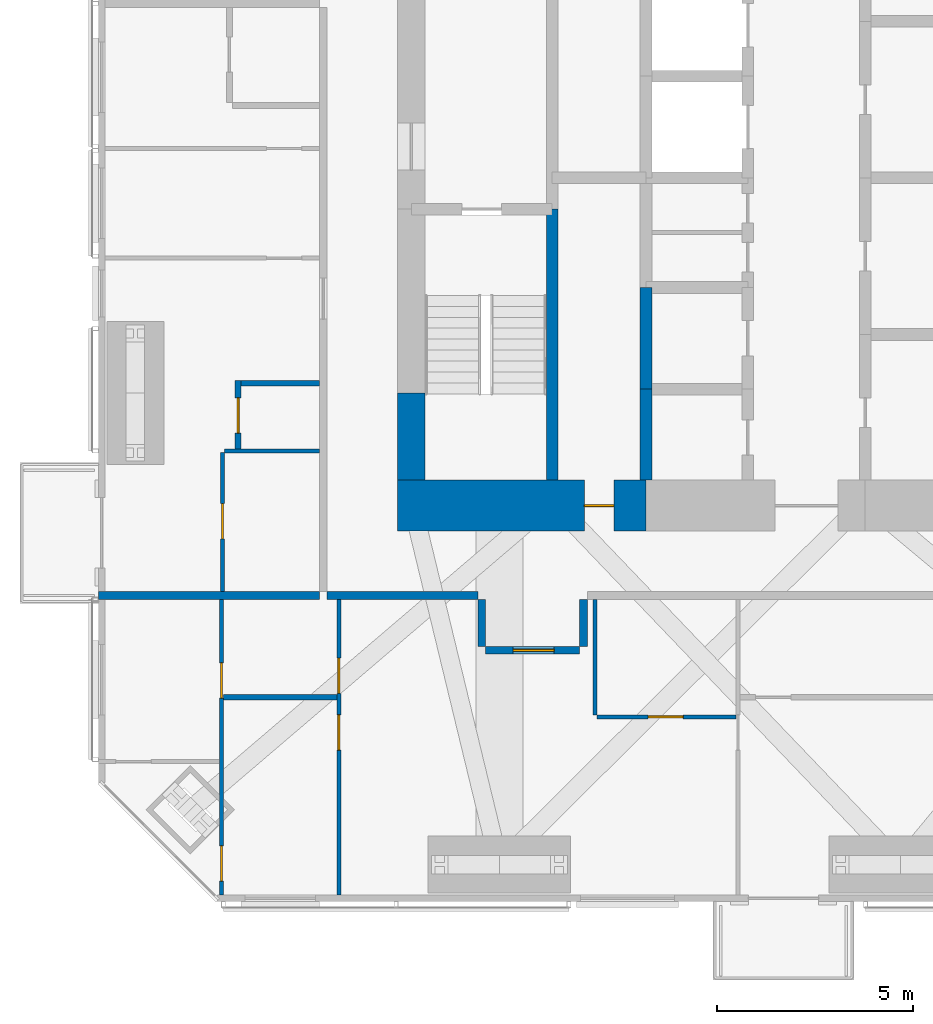
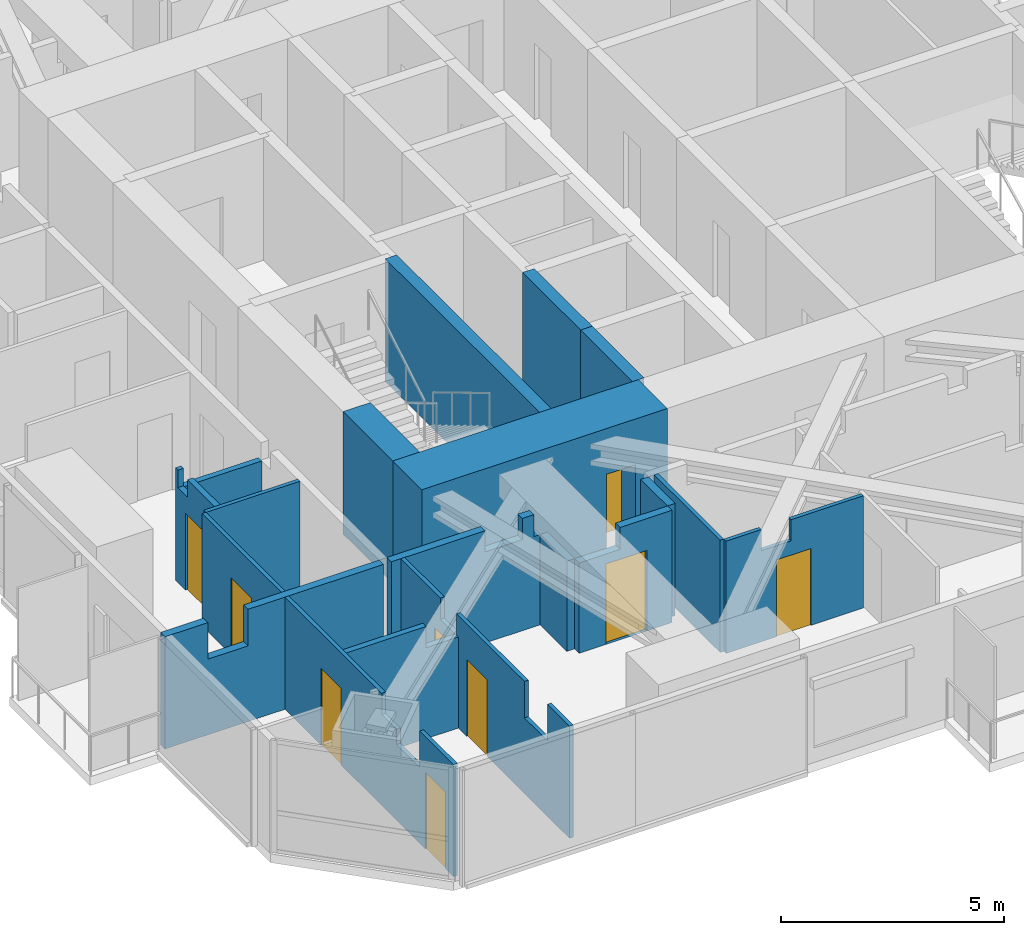
# One storey, part 15 of 22: 19 walls, 9 doors, 9 openings.
"""IFC4 building model written with IfcOpenShell, lengths in metres."""

from ifc_helpers import new_model, si_unit, direction, frame, frame_2d, origin, place, context, subcontext, project, spatial, polyline, rectangle, outline, extrude, material, layer, layer_set, constituent, constituent_set, type_object, element, fill, save


model = new_model("IFC4")

# Units and contexts
model_context = context("Model", 3, precision=1e-05, world=origin(), true_north=direction((0.0, 1.0)))
body_context = subcontext(model_context, "Body", "Model", "MODEL_VIEW")
ifc_project = project(units=[si_unit("LENGTHUNIT", "METRE"), si_unit("AREAUNIT", "SQUARE_METRE"), si_unit("VOLUMEUNIT", "CUBIC_METRE"), si_unit("PLANEANGLEUNIT", "RADIAN"), si_unit("MASSUNIT", "GRAM", prefix="KILO")], contexts=[model_context])

# Site, building, storey
site_placement = place(None, origin())
site = spatial("IfcSite", under=ifc_project, at=site_placement, CompositionType="ELEMENT")
building_placement = place(site_placement, origin())
building = spatial("IfcBuilding", under=site, at=building_placement, Name="Jalousie Tower", CompositionType="ELEMENT")
storey_placement = place(building_placement, frame((0.0, 0.0, 204.60009765625)))
storey = spatial("IfcBuildingStorey", under=building, at=storey_placement, Name="L56", CompositionType="ELEMENT", Elevation=204.60009765625)

# Wall
ifc_material_1 = material(Name="Concrete block ASTM C90", Category="concrete")
ifc_constituent_1 = constituent(ifc_material_1, Name="Body")
ifc_material_2 = material(Name="Render")
ifc_constituent_2 = constituent(ifc_material_2, Name="Finish")
ifc_constituent_set_1 = constituent_set(constituents=[ifc_constituent_1, ifc_constituent_2])
wall_type_1 = type_object("IfcWallType", Name="BATHROOM WALL 150", PredefinedType="PLUMBINGWALL", material=ifc_constituent_set_1)
wall_1_placement = place(storey_placement, frame((15.199951171875, 5.22509765625, 0.0), z_axis=(0.0, 0.0, 1.0), x_axis=(1.0, 0.0, 0.0)))
element("IfcWall", 1, at=wall_1_placement, inside=storey, type_object=wall_type_1, Name="Bathroom Wall 150 L56", PredefinedType="PLUMBINGWALL", context=body_context, shape_type="SweptSolid", body=[
    extrude(outline(polyline([(0.0, 0.0), (2.900146484375, 0.0), (2.89990234375, 2.49072265625), (2.06494140625, 2.49072265625), (2.06494140625, 3.06982421875), (0.0, 3.06982421875), (0.0, 0.0)])), frame((0.0, 0.074951171875, 0.0), z_axis=(0.0, -1.0, 0.0), x_axis=(1.0, 0.0, 0.0)), (0.0, 0.0, 1.0), 0.14990234375),
])

# Wall, opening, door
wall_2_placement = place(storey_placement, frame((15.574951171875, 11.574951171875, 0.0), z_axis=(0.0, 0.0, 1.0), x_axis=(0.0, 1.0, 0.0)))
wall_2 = element("IfcWall", 2, at=wall_2_placement, inside=storey, type_object=wall_type_1, Name="Bathroom Wall 150 L56", PredefinedType="PLUMBINGWALL", context=body_context, shape_type="SweptSolid", body=[
    extrude(outline(polyline([(0.0, 0.0), (1.75, 0.0), (1.75, 3.06982421875), (1.63720703125, 3.06982421875), (1.63720703125, 2.594970703125), (1.212890625, 2.594970703125), (1.212890625, 3.06982421875), (0.0, 3.06982421875), (0.0, 0.0)])), frame((0.0, 0.074951171875, 0.0), z_axis=(0.0, -1.0, 0.0), x_axis=(1.0, 0.0, 0.0)), (0.0, 0.0, 1.0), 0.14990234375),
])
opening_1_placement = place(wall_2_placement, frame((0.39990234375, 0.0, 0.0)))
opening_1 = element("IfcOpeningElement", 3, at=opening_1_placement, cuts=wall_2, Name="Opening D7", PredefinedType="OPENING", context=body_context, shape_type="SweptSolid", body=[
    extrude(rectangle(XDim=0.89990234375, YDim=2.10009765625, at=frame_2d((0.449951171875, 1.050048828125))), frame((0.0, 0.0849609375, 0.0), z_axis=(0.0, -1.0, 0.0), x_axis=(1.0, 0.0, 0.0)), (0.0, 0.0, 1.0), 0.169921875),
])
ifc_material_3 = material(Name="Timber door", Category="wood")
door_type_1 = type_object("IfcDoorType", Name="INTERNAL DOOR 900", OperationType="SINGLE_SWING_LEFT", PredefinedType="DOOR", material=ifc_material_3)
door_1_placement = place(opening_1_placement, frame((0.89990234375, 0.0, 0.0), z_axis=(0.0, 0.0, 1.0), x_axis=(-1.0, 0.0, 0.0)))
door_1 = element("IfcDoor", 4, at=door_1_placement, inside=storey, type_object=door_type_1, Name="Apartment 5604 guest WC door", OperationType="SINGLE_SWING_LEFT", OverallHeight=2.10009765625, OverallWidth=0.89990234375, PredefinedType="DOOR", context=body_context, shape_type="SweptSolid", body=[
    extrude(rectangle(XDim=0.89990234375, YDim=2.10009765625, at=frame_2d((0.449951171875, 1.050048828125))), frame((0.0, 0.02490234375, 0.0), z_axis=(0.0, -1.0, 0.0), x_axis=(1.0, 0.0, 0.0)), (0.0, 0.0, 1.0), 0.050048828125),
])
fill(opening_1, door_1)

# Wall
wall_3_placement = place(storey_placement, frame((17.64990234375, 13.25, 0.0), z_axis=(0.0, 0.0, 1.0), x_axis=(-1.0, 0.0, 0.0)))
element("IfcWall", 5, at=wall_3_placement, inside=storey, type_object=wall_type_1, Name="Bathroom Wall 150 L56", PredefinedType="PLUMBINGWALL", context=body_context, shape_type="SweptSolid", body=[
    extrude(rectangle(XDim=2.0, YDim=0.14990234375, at=frame_2d((1.0, 0.0))), origin(), (0.0, 0.0, 1.0), 2.594970703125),
])

# Wall, opening, door
ifc_material_4 = material(Name="Concrete f'c 120 MPa", Category="concrete")
ifc_layer_1 = layer(ifc_material_4, 1.300048828125)
ifc_layer_set_1 = layer_set([ifc_layer_1], Name="Concrete f'c 120 MPa")
wall_type_2 = type_object("IfcWallType", Name="CORE WALL 1300", PredefinedType="SHEAR", material=ifc_layer_set_1)
wall_4_placement = place(storey_placement, frame((19.64990234375, 10.125, 0.0), z_axis=(0.0, 0.0, 1.0), x_axis=(1.0, 0.0, 0.0)))
wall_4 = element("IfcWall", 6, at=wall_4_placement, inside=storey, type_object=wall_type_2, Name="Core wall SA L56", PredefinedType="SHEAR", context=body_context, shape_type="SweptSolid", body=[
    extrude(rectangle(XDim=6.35009765625, YDim=1.300048828125, at=frame_2d((3.175048828125, 0.0))), origin(), (0.0, 0.0, 1.0), 3.349853515625),
])
opening_2_placement = place(wall_4_placement, frame((4.77490234375, 0.0, 0.0)))
opening_2 = element("IfcOpeningElement", 7, at=opening_2_placement, cuts=wall_4, Name="Opening D16", PredefinedType="OPENING", context=body_context, shape_type="SweptSolid", body=[
    extrude(rectangle(XDim=0.75, YDim=2.10009765625, at=frame_2d((0.375, 1.050048828125))), frame((0.0, 0.659912109375, 0.0), z_axis=(0.0, -1.0, 0.0), x_axis=(1.0, 0.0, 0.0)), (0.0, 0.0, 1.0), 1.320068359375),
])
ifc_material_5 = material(Name="Steel fire door", Category="steel")
door_type_2 = type_object("IfcDoorType", Name="RISER DOOR 750", OperationType="SINGLE_SWING_LEFT", PredefinedType="DOOR", material=ifc_material_5)
door_2_placement = place(opening_2_placement, origin())
door_2 = element("IfcDoor", 8, at=door_2_placement, inside=storey, type_object=door_type_2, Name="South riser door", OperationType="SINGLE_SWING_LEFT", OverallHeight=2.10009765625, OverallWidth=0.75, PredefinedType="DOOR", context=body_context, shape_type="SweptSolid", body=[
    extrude(rectangle(XDim=0.75, YDim=2.10009765625, at=frame_2d((0.375, 1.050048828125))), frame((0.0, 0.02490234375, 0.0), z_axis=(0.0, -1.0, 0.0), x_axis=(1.0, 0.0, 0.0)), (0.0, 0.0, 1.0), 0.050048828125),
])
fill(opening_2, door_2)

# Walls
ifc_material_6 = material(Name="Concrete f'c 120 MPa", Category="concrete")
ifc_layer_2 = layer(ifc_material_6, 0.300048828125)
ifc_layer_set_2 = layer_set([ifc_layer_2], Name="Concrete f'c 120 MPa")
wall_type_3 = type_object("IfcWallType", Name="CORE WALL 300", PredefinedType="SHEAR", material=ifc_layer_set_2)
wall_5_placement = place(storey_placement, frame((23.60009765625, 10.77490234375, 0.0), z_axis=(0.0, 0.0, 1.0), x_axis=(0.0, 1.0, 0.0)))
element("IfcWall", 9, at=wall_5_placement, inside=storey, type_object=wall_type_3, Name="Core wall X23.6A L56", PredefinedType="SHEAR", context=body_context, shape_type="SweptSolid", body=[
    extrude(rectangle(XDim=6.925048828125, YDim=0.300048828125, at=frame_2d((3.46240234375, 0.0))), origin(), (0.0, 0.0, 1.0), 3.349853515625),
])
wall_6_placement = place(storey_placement, frame((26.0, 10.77490234375, 0.0), z_axis=(0.0, 0.0, 1.0), x_axis=(0.0, 1.0, 0.0)))
element("IfcWall", 10, at=wall_6_placement, inside=storey, type_object=wall_type_3, Name="Core wall X26A L56", PredefinedType="SHEAR", context=body_context, shape_type="SweptSolid", body=[
    extrude(rectangle(XDim=2.3251953125, YDim=0.300048828125, at=frame_2d((1.16259765625, 0.0))), origin(), (0.0, 0.0, 1.0), 3.349853515625),
])
wall_7_placement = place(storey_placement, frame((26.0, 13.10009765625, 0.0), z_axis=(0.0, 0.0, 1.0), x_axis=(0.0, 1.0, 0.0)))
element("IfcWall", 11, at=wall_7_placement, inside=storey, type_object=wall_type_3, Name="Core wall X26B L56", PredefinedType="SHEAR", context=body_context, shape_type="SweptSolid", body=[
    extrude(rectangle(XDim=2.599853515625, YDim=0.300048828125, at=frame_2d((1.2998046875, 0.0))), origin(), (0.0, 0.0, 1.0), 3.349853515625),
])
ifc_material_7 = material(Name="Concrete f'c 120 MPa", Category="concrete")
ifc_layer_3 = layer(ifc_material_7, 0.699951171875)
ifc_layer_set_3 = layer_set([ifc_layer_3], Name="Concrete f'c 120 MPa")
wall_type_4 = type_object("IfcWallType", Name="CORE WALL 700", PredefinedType="SHEAR", material=ifc_layer_set_3)
wall_8_placement = place(storey_placement, frame((20.0, 13.0, 0.0), z_axis=(0.0, 0.0, 1.0), x_axis=(0.0, -1.0, 0.0)))
element("IfcWall", 12, at=wall_8_placement, inside=storey, type_object=wall_type_4, Name="Core wall WD L56", PredefinedType="SHEAR", context=body_context, shape_type="SweptSolid", body=[
    extrude(rectangle(XDim=2.22509765625, YDim=0.699951171875, at=frame_2d((1.112548828125, 0.0))), origin(), (0.0, 0.0, 1.0), 3.349853515625),
])
ifc_material_8 = material(Name="Concrete block ASTM C90", Category="concrete")
ifc_constituent_3 = constituent(ifc_material_8, Name="Body")
ifc_material_9 = material(Name="Render")
ifc_constituent_4 = constituent(ifc_material_9, Name="Finish")
ifc_constituent_set_2 = constituent_set(constituents=[ifc_constituent_3, ifc_constituent_4])
wall_type_5 = type_object("IfcWallType", Name="CORRIDOR WALL 200", PredefinedType="PARTITIONING", material=ifc_constituent_set_2)
wall_9_placement = place(storey_placement, frame((17.85009765625, 7.824951171875, 0.0), z_axis=(0.0, 0.0, 1.0), x_axis=(1.0, 0.0, 0.0)))
element("IfcWall", 13, at=wall_9_placement, inside=storey, type_object=wall_type_5, Name="Corridor Wall 200 L56", PredefinedType="PARTITIONING", context=body_context, shape_type="SweptSolid", body=[
    extrude(outline(polyline([(0.0, 0.0), (3.849853515625, 0.0), (3.85009765625, 2.469970703125), (3.68994140625, 2.469970703125), (3.68994140625, 3.06982421875), (3.3916015625, 3.06982421875), (3.3916015625, 2.49072265625), (2.429931640625, 2.49072265625), (2.429931640625, 3.06982421875), (0.0, 3.06982421875), (0.0, 0.0)])), frame((0.0, 0.10009765625, 0.0), z_axis=(0.0, -1.0, 0.0), x_axis=(1.0, 0.0, 0.0)), (0.0, 0.0, 1.0), 0.199951171875),
])

# Wall, opening, door
wall_10_placement = place(storey_placement, frame((21.89990234375, 6.425048828125, 0.0), z_axis=(0.0, 0.0, 1.0), x_axis=(1.0, 0.0, 0.0)))
wall_10 = element("IfcWall", 14, at=wall_10_placement, inside=storey, type_object=wall_type_5, Name="Corridor Wall 200 L56", PredefinedType="PARTITIONING", context=body_context, shape_type="SweptSolid", body=[
    extrude(outline(polyline([(0.0, 0.0), (2.400146484375, 0.0), (2.39990234375, 3.06982421875), (1.06005859375, 3.06982421875), (1.06005859375, 2.469970703125), (0.0, 2.469970703125), (0.0, 3.06982421875), (0.0, 0.0)])), frame((0.0, 0.10009765625, 0.0), z_axis=(0.0, -1.0, 0.0), x_axis=(1.0, 0.0, 0.0)), (0.0, 0.0, 1.0), 0.199951171875),
])
opening_3_placement = place(wall_10_placement, frame((0.699951171875, 0.0, 0.0)))
opening_3 = element("IfcOpeningElement", 15, at=opening_3_placement, cuts=wall_10, Name="Opening D1", PredefinedType="OPENING", context=body_context, shape_type="SweptSolid", body=[
    extrude(rectangle(XDim=1.050048828125, YDim=2.199951171875, at=frame_2d((0.52490234375, 1.10009765625))), frame((0.0, 0.10986328125, 0.0), z_axis=(0.0, -1.0, 0.0), x_axis=(1.0, 0.0, 0.0)), (0.0, 0.0, 1.0), 0.219970703125),
])
ifc_material_10 = material(Name="Timber fire door", Category="wood")
door_type_3 = type_object("IfcDoorType", Name="APARTMENT ENTRANCE DOOR 1050", OperationType="SINGLE_SWING_LEFT", PredefinedType="DOOR", material=ifc_material_10)
door_3_placement = place(opening_3_placement, frame((1.050048828125, 0.0, 0.0), z_axis=(0.0, 0.0, 1.0), x_axis=(-1.0, 0.0, 0.0)))
door_3 = element("IfcDoor", 16, at=door_3_placement, inside=storey, type_object=door_type_3, Name="Apartment 5601 entrance", OperationType="SINGLE_SWING_LEFT", OverallHeight=2.199951171875, OverallWidth=1.050048828125, PredefinedType="DOOR", context=body_context, shape_type="SweptSolid", body=[
    extrude(rectangle(XDim=1.050048828125, YDim=2.199951171875, at=frame_2d((0.52490234375, 1.10009765625))), frame((0.0, 0.02490234375, 0.0), z_axis=(0.0, -1.0, 0.0), x_axis=(1.0, 0.0, 0.0)), (0.0, 0.0, 1.0), 0.050048828125),
])
fill(opening_3, door_3)

# Walls
wall_11_placement = place(storey_placement, frame((21.800048828125, 7.72509765625, 0.0), z_axis=(0.0, 0.0, 1.0), x_axis=(0.0, -1.0, 0.0)))
element("IfcWall", 17, at=wall_11_placement, inside=storey, type_object=wall_type_5, Name="Corridor Wall 200 L56", PredefinedType="PARTITIONING", context=body_context, shape_type="SweptSolid", body=[
    extrude(outline(polyline([(0.0, 0.0), (1.2001953125, 0.0), (1.199951171875, 3.06982421875), (1.199951171875, 2.469970703125), (0.0, 2.469970703125), (0.0, 3.06982421875), (0.0, 0.0)])), frame((0.0, 0.10009765625, 0.0), z_axis=(0.0, -1.0, 0.0), x_axis=(1.0, 0.0, 0.0)), (0.0, 0.0, 1.0), 0.199951171875),
])
wall_12_placement = place(storey_placement, frame((24.39990234375, 7.72509765625, 0.0), z_axis=(0.0, 0.0, 1.0), x_axis=(0.0, -1.0, 0.0)))
element("IfcWall", 18, at=wall_12_placement, inside=storey, type_object=wall_type_5, Name="Corridor Wall 200 L56", PredefinedType="PARTITIONING", context=body_context, shape_type="SweptSolid", body=[
    extrude(rectangle(XDim=1.2001953125, YDim=0.199951171875, at=frame_2d((0.60009765625, 0.0))), origin(), (0.0, 0.0, 1.0), 3.06982421875),
])

# Wall, openings, doors
ifc_material_11 = material(Name="Gypsum board", Category="gypsum")
ifc_constituent_5 = constituent(ifc_material_11, Name="Body")
ifc_material_12 = material(Name="Light-gauge steel studs ASTM A653 SS Grade 33", Category="steel")
ifc_constituent_6 = constituent(ifc_material_12, Name="Framing")
ifc_constituent_set_3 = constituent_set(constituents=[ifc_constituent_5, ifc_constituent_6])
wall_type_6 = type_object("IfcWallType", Name="PARTITION 100", PredefinedType="PARTITIONING", material=ifc_constituent_set_3)
wall_13_placement = place(storey_placement, frame((15.14990234375, 0.175048828125, 0.0), z_axis=(0.0, 0.0, 1.0), x_axis=(0.0, 1.0, 0.0)))
wall_13 = element("IfcWall", 19, at=wall_13_placement, inside=storey, type_object=wall_type_6, Name="Partition 100 L56", PredefinedType="PARTITIONING", context=body_context, shape_type="SweptSolid", body=[
    extrude(outline(polyline([(0.0, 0.0), (7.550048828125, 0.0), (7.550048828125, 3.06982421875), (3.21142578125, 3.06982421875), (3.21142578125, 2.49072265625), (2.54833984375, 2.49072265625), (2.54833984375, 2.06982421875), (1.514892578125, 2.06982421875), (1.514892578125, 3.06982421875), (0.0, 3.06982421875), (0.0, 0.0)])), frame((0.0, 0.050048828125, 0.0), z_axis=(0.0, -1.0, 0.0), x_axis=(1.0, 0.0, 0.0)), (0.0, 0.0, 1.0), 0.10009765625),
])
opening_4_placement = place(wall_13_placement, frame((0.35498046875, 0.0, 0.0)))
opening_4 = element("IfcOpeningElement", 20, at=opening_4_placement, cuts=wall_13, Name="Opening D2", PredefinedType="OPENING", context=body_context, shape_type="SweptSolid", body=[
    extrude(rectangle(XDim=0.89990234375, YDim=2.10009765625, at=frame_2d((0.449951171875, 1.050048828125))), frame((0.0, 0.06005859375, 0.0), z_axis=(0.0, -1.0, 0.0), x_axis=(1.0, 0.0, 0.0)), (0.0, 0.0, 1.0), 0.1201171875),
])
opening_5_placement = place(wall_13_placement, frame((5.02734375, 0.0, 0.0)))
opening_5 = element("IfcOpeningElement", 21, at=opening_5_placement, cuts=wall_13, Name="Opening D3", PredefinedType="OPENING", context=body_context, shape_type="SweptSolid", body=[
    extrude(rectangle(XDim=0.89990234375, YDim=2.10009765625, at=frame_2d((0.449951171875, 1.050048828125))), frame((0.0, 0.06005859375, 0.0), z_axis=(0.0, -1.0, 0.0), x_axis=(1.0, 0.0, 0.0)), (0.0, 0.0, 1.0), 0.1201171875),
])
ifc_material_13 = material(Name="Timber door", Category="wood")
door_type_4 = type_object("IfcDoorType", Name="BATHROOM DOOR 900", OperationType="SINGLE_SWING_LEFT", PredefinedType="DOOR", material=ifc_material_13)
door_4_placement = place(opening_5_placement, frame((0.89990234375, 0.0, 0.0), z_axis=(0.0, 0.0, 1.0), x_axis=(-1.0, 0.0, 0.0)))
door_4 = element("IfcDoor", 22, at=door_4_placement, inside=storey, type_object=door_type_4, Name="Apartment 5601 bedroom 1 bathroom door", OperationType="SINGLE_SWING_LEFT", OverallHeight=2.10009765625, OverallWidth=0.89990234375, PredefinedType="DOOR", context=body_context, shape_type="SweptSolid", body=[
    extrude(rectangle(XDim=0.89990234375, YDim=2.10009765625, at=frame_2d((0.449951171875, 1.050048828125))), frame((0.0, 0.02490234375, 0.0), z_axis=(0.0, -1.0, 0.0), x_axis=(1.0, 0.0, 0.0)), (0.0, 0.0, 1.0), 0.050048828125),
])
fill(opening_5, door_4)
ifc_material_14 = material(Name="Timber door", Category="wood")
door_type_5 = type_object("IfcDoorType", Name="BEDROOM DOOR 900", OperationType="SINGLE_SWING_LEFT", PredefinedType="DOOR", material=ifc_material_14)
door_5_placement = place(opening_4_placement, frame((0.89990234375, 0.0, 0.0), z_axis=(0.0, 0.0, 1.0), x_axis=(-1.0, 0.0, 0.0)))
door_5 = element("IfcDoor", 23, at=door_5_placement, inside=storey, type_object=door_type_5, Name="Apartment 5601 bedroom 1 door", OperationType="SINGLE_SWING_RIGHT", OverallHeight=2.10009765625, OverallWidth=0.89990234375, PredefinedType="DOOR", context=body_context, shape_type="SweptSolid", body=[
    extrude(rectangle(XDim=0.89990234375, YDim=2.10009765625, at=frame_2d((0.449951171875, 1.050048828125))), frame((0.0, 0.02490234375, 0.0), z_axis=(0.0, -1.0, 0.0), x_axis=(1.0, 0.0, 0.0)), (0.0, 0.0, 1.0), 0.050048828125),
])
fill(opening_4, door_5)

wall_14_placement = place(storey_placement, frame((18.14990234375, 0.175048828125, 0.0), z_axis=(0.0, 0.0, 1.0), x_axis=(0.0, 1.0, 0.0)))
wall_14 = element("IfcWall", 24, at=wall_14_placement, inside=storey, type_object=wall_type_6, Name="Partition 100 L56", PredefinedType="PARTITIONING", context=body_context, shape_type="SweptSolid", body=[
    extrude(outline(polyline([(0.0, 0.0), (7.550048828125, 0.0), (7.550048828125, 3.06982421875), (5.773681640625, 3.06982421875), (5.773681640625, 2.49072265625), (5.06689453125, 2.49072265625), (5.06689453125, 3.06982421875), (2.017333984375, 3.06982421875), (2.017333984375, 2.06982421875), (0.98388671875, 2.06982421875), (0.98388671875, 3.06982421875), (0.0, 3.06982421875), (0.0, 0.0)])), frame((0.0, 0.050048828125, 0.0), z_axis=(0.0, -1.0, 0.0), x_axis=(1.0, 0.0, 0.0)), (0.0, 0.0, 1.0), 0.10009765625),
])
opening_6_placement = place(wall_14_placement, frame((3.699951171875, 0.0, 0.0)))
opening_6 = element("IfcOpeningElement", 25, at=opening_6_placement, cuts=wall_14, Name="Opening D2", PredefinedType="OPENING", context=body_context, shape_type="SweptSolid", body=[
    extrude(rectangle(XDim=0.89990234375, YDim=2.10009765625, at=frame_2d((0.449951171875, 1.050048828125))), frame((0.0, 0.06005859375, 0.0), z_axis=(0.0, -1.0, 0.0), x_axis=(1.0, 0.0, 0.0)), (0.0, 0.0, 1.0), 0.1201171875),
])
opening_7_placement = place(wall_14_placement, frame((5.14990234375, 0.0, 0.0)))
opening_7 = element("IfcOpeningElement", 26, at=opening_7_placement, cuts=wall_14, Name="Opening D7", PredefinedType="OPENING", context=body_context, shape_type="SweptSolid", body=[
    extrude(rectangle(XDim=0.89990234375, YDim=2.10009765625, at=frame_2d((0.449951171875, 1.050048828125))), frame((0.0, 0.06005859375, 0.0), z_axis=(0.0, -1.0, 0.0), x_axis=(1.0, 0.0, 0.0)), (0.0, 0.0, 1.0), 0.1201171875),
])
door_6_placement = place(opening_6_placement, origin())
door_6 = element("IfcDoor", 27, at=door_6_placement, inside=storey, type_object=door_type_5, Name="Apartment 5601 bedroom 2 door", OperationType="SINGLE_SWING_RIGHT", OverallHeight=2.10009765625, OverallWidth=0.89990234375, PredefinedType="DOOR", context=body_context, shape_type="SweptSolid", body=[
    extrude(rectangle(XDim=0.89990234375, YDim=2.10009765625, at=frame_2d((0.449951171875, 1.050048828125))), frame((0.0, 0.02490234375, 0.0), z_axis=(0.0, -1.0, 0.0), x_axis=(1.0, 0.0, 0.0)), (0.0, 0.0, 1.0), 0.050048828125),
])
fill(opening_6, door_6)
door_7_placement = place(opening_7_placement, origin())
door_7 = element("IfcDoor", 28, at=door_7_placement, inside=storey, type_object=door_type_1, Name="Apartment 5601 bathroom door", OperationType="SINGLE_SWING_LEFT", OverallHeight=2.10009765625, OverallWidth=0.89990234375, PredefinedType="DOOR", context=body_context, shape_type="SweptSolid", body=[
    extrude(rectangle(XDim=0.89990234375, YDim=2.10009765625, at=frame_2d((0.449951171875, 1.050048828125))), frame((0.0, 0.02490234375, 0.0), z_axis=(0.0, -1.0, 0.0), x_axis=(1.0, 0.0, 0.0)), (0.0, 0.0, 1.0), 0.050048828125),
])
fill(opening_7, door_7)

# Wall, opening, door
wall_15_placement = place(storey_placement, frame((24.75, 4.72509765625, 0.0), z_axis=(0.0, 0.0, 1.0), x_axis=(1.0, 0.0, 0.0)))
wall_15 = element("IfcWall", 29, at=wall_15_placement, inside=storey, type_object=wall_type_6, Name="Partition 100 L56", PredefinedType="PARTITIONING", context=body_context, shape_type="SweptSolid", body=[
    extrude(outline(polyline([(0.0, 0.0), (3.550048828125, 0.0), (3.550048828125, 3.06982421875), (1.680419921875, 3.06982421875), (1.680419921875, 2.49072265625), (0.91015625, 2.49072265625), (0.91015625, 3.06982421875), (0.0, 3.06982421875), (0.0, 0.0)])), frame((0.0, 0.050048828125, 0.0), z_axis=(0.0, -1.0, 0.0), x_axis=(1.0, 0.0, 0.0)), (0.0, 0.0, 1.0), 0.10009765625),
])
opening_8_placement = place(wall_15_placement, frame((1.300048828125, 0.0, 0.0)))
opening_8 = element("IfcOpeningElement", 30, at=opening_8_placement, cuts=wall_15, Name="Opening D7", PredefinedType="OPENING", context=body_context, shape_type="SweptSolid", body=[
    extrude(rectangle(XDim=0.89990234375, YDim=2.10009765625, at=frame_2d((0.449951171875, 1.050048828125))), frame((0.0, 0.06005859375, 0.0), z_axis=(0.0, -1.0, 0.0), x_axis=(1.0, 0.0, 0.0)), (0.0, 0.0, 1.0), 0.1201171875),
])
door_8_placement = place(opening_8_placement, frame((0.89990234375, 0.0, 0.0), z_axis=(0.0, 0.0, 1.0), x_axis=(-1.0, 0.0, 0.0)))
door_8 = element("IfcDoor", 31, at=door_8_placement, inside=storey, type_object=door_type_1, Name="Apartment 5601 kitchen door", OperationType="SINGLE_SWING_LEFT", OverallHeight=2.10009765625, OverallWidth=0.89990234375, PredefinedType="DOOR", context=body_context, shape_type="SweptSolid", body=[
    extrude(rectangle(XDim=0.89990234375, YDim=2.10009765625, at=frame_2d((0.449951171875, 1.050048828125))), frame((0.0, 0.02490234375, 0.0), z_axis=(0.0, -1.0, 0.0), x_axis=(1.0, 0.0, 0.0)), (0.0, 0.0, 1.0), 0.050048828125),
])
fill(opening_8, door_8)

# Wall
wall_16_placement = place(storey_placement, frame((24.699951171875, 4.77490234375, 0.0), z_axis=(0.0, 0.0, 1.0), x_axis=(0.0, 1.0, 0.0)))
element("IfcWall", 32, at=wall_16_placement, inside=storey, type_object=wall_type_6, Name="Partition 100 L56", PredefinedType="PARTITIONING", context=body_context, shape_type="SweptSolid", body=[
    extrude(rectangle(XDim=2.9501953125, YDim=0.10009765625, at=frame_2d((1.47509765625, 0.0))), origin(), (0.0, 0.0, 1.0), 3.06982421875),
])

# Wall, opening, door
wall_17_placement = place(storey_placement, frame((15.175048828125, 7.925048828125, 0.0), z_axis=(0.0, 0.0, 1.0), x_axis=(0.0, 1.0, 0.0)))
wall_17 = element("IfcWall", 33, at=wall_17_placement, inside=storey, type_object=wall_type_6, Name="Partition 100 L56", PredefinedType="PARTITIONING", context=body_context, shape_type="SweptSolid", body=[
    extrude(rectangle(XDim=3.550048828125, YDim=0.10009765625, at=frame_2d((1.77490234375, 0.0))), origin(), (0.0, 0.0, 1.0), 3.06982421875),
])
opening_9_placement = place(wall_17_placement, frame((1.35009765625, 0.0, 0.0)))
opening_9 = element("IfcOpeningElement", 34, at=opening_9_placement, cuts=wall_17, Name="Opening D7", PredefinedType="OPENING", context=body_context, shape_type="SweptSolid", body=[
    extrude(rectangle(XDim=0.89990234375, YDim=2.10009765625, at=frame_2d((0.449951171875, 1.050048828125))), frame((0.0, 0.06005859375, 0.0), z_axis=(0.0, -1.0, 0.0), x_axis=(1.0, 0.0, 0.0)), (0.0, 0.0, 1.0), 0.1201171875),
])
door_9_placement = place(opening_9_placement, origin())
door_9 = element("IfcDoor", 35, at=door_9_placement, inside=storey, type_object=door_type_1, Name="Apartment 5604 kitchen door", OperationType="SINGLE_SWING_LEFT", OverallHeight=2.10009765625, OverallWidth=0.89990234375, PredefinedType="DOOR", context=body_context, shape_type="SweptSolid", body=[
    extrude(rectangle(XDim=0.89990234375, YDim=2.10009765625, at=frame_2d((0.449951171875, 1.050048828125))), frame((0.0, 0.02490234375, 0.0), z_axis=(0.0, -1.0, 0.0), x_axis=(1.0, 0.0, 0.0)), (0.0, 0.0, 1.0), 0.050048828125),
])
fill(opening_9, door_9)

# Walls
wall_18_placement = place(storey_placement, frame((15.22509765625, 11.52490234375, 0.0), z_axis=(0.0, 0.0, 1.0), x_axis=(1.0, 0.0, 0.0)))
element("IfcWall", 36, at=wall_18_placement, inside=storey, type_object=wall_type_6, Name="Partition 100 L56", PredefinedType="PARTITIONING", context=body_context, shape_type="SweptSolid", body=[
    extrude(rectangle(XDim=2.4248046875, YDim=0.10009765625, at=frame_2d((1.21240234375, 0.0))), origin(), (0.0, 0.0, 1.0), 3.06982421875),
])
ifc_material_15 = material(Name="Concrete block ASTM C90", Category="concrete")
ifc_constituent_7 = constituent(ifc_material_15, Name="Body")
ifc_material_16 = material(Name="Render")
ifc_constituent_8 = constituent(ifc_material_16, Name="Finish")
ifc_constituent_set_4 = constituent_set(constituents=[ifc_constituent_7, ifc_constituent_8])
wall_type_7 = type_object("IfcWallType", Name="PARTY WALL 200", PredefinedType="PARTITIONING", material=ifc_constituent_set_4)
wall_19_placement = place(storey_placement, frame((12.0, 7.824951171875, 0.0), z_axis=(0.0, 0.0, 1.0), x_axis=(1.0, 0.0, 0.0)))
element("IfcWall", 37, at=wall_19_placement, inside=storey, type_object=wall_type_7, Name="Party Wall 200 L56", PredefinedType="PARTITIONING", context=body_context, shape_type="SweptSolid", body=[
    extrude(outline(polyline([(0.0, 0.0), (5.64990234375, 0.0), (5.64990234375, 3.06982421875), (2.14697265625, 3.06982421875), (2.14697265625, 2.06982421875), (1.112060546875, 2.06982421875), (1.112060546875, 3.06982421875), (0.0, 3.06982421875), (0.0, 0.0)])), frame((0.0, 0.10009765625, 0.0), z_axis=(0.0, -1.0, 0.0), x_axis=(1.0, 0.0, 0.0)), (0.0, 0.0, 1.0), 0.199951171875),
])

save(model, "model.ifc")
